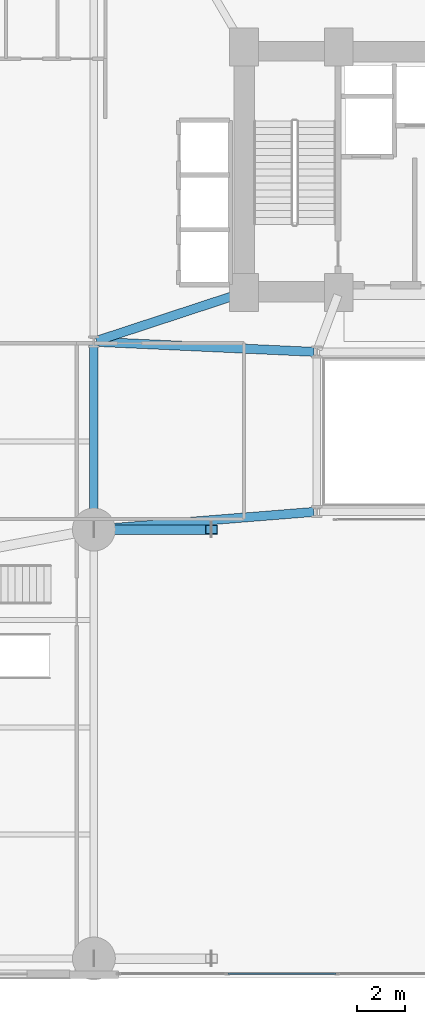
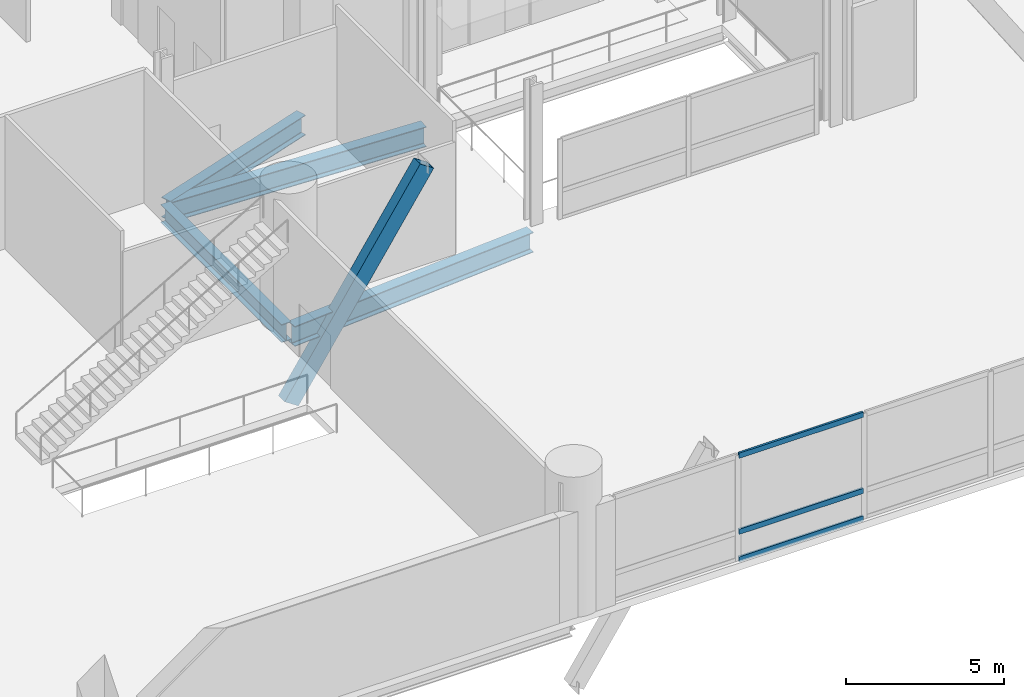
# One storey, part 11 of 40: 4 beams, 4 members, 1 element without a shape of its own.
"""IFC4 building model written with IfcOpenShell, lengths in metres."""

import ifcopenshell
import ifcopenshell.guid

model = None  # the IFC model being written
_history = None  # IfcOwnerHistory: only IFC2X3 demands one
_inside = {}  # id of a spatial element -> (the spatial element, [elements in it])
_under = {}  # id of a project, library or spatial element -> (it, [spatial elements below it])
_declared = {}  # id of a project -> (the project, [libraries it declares])
_typed = {}  # id of a type object -> (the type object, [elements of that type])
_made_of = {}  # id of a material, layer set ... -> (it, [elements and type objects made of it])


def new_model(schema):
    """Start an empty IFC model of exactly this schema.

    Asked for "IFC4X3", IfcOpenShell would pick the latest addendum, in which some entities
    have other attributes; the version numbers below select the first issue.
    IFC2X3 requires an IfcOwnerHistory on every rooted entity: one is made here for all.
    """
    global model, _history
    if schema == "IFC4X3":
        model = ifcopenshell.file(schema_version=(4, 3, 0, 0))
    else:
        model = ifcopenshell.file(schema=schema)
    _inside.clear()
    _under.clear()
    _declared.clear()
    _typed.clear()
    _made_of.clear()
    _history = None
    if model.schema == "IFC2X3":
        org = make("IfcOrganization", Name="unknown")
        user = make(
            "IfcPersonAndOrganization",
            ThePerson=make("IfcPerson", FamilyName="unknown"),
            TheOrganization=org,
        )
        app = make(
            "IfcApplication",
            ApplicationDeveloper=org,
            Version="unknown",
            ApplicationFullName="unknown",
            ApplicationIdentifier="unknown",
        )
        _history = make(
            "IfcOwnerHistory",
            OwningUser=user,
            OwningApplication=app,
            ChangeAction="ADDED",
            CreationDate=0,
        )
    return model


def make(cls, **values):
    """One entity of the class cls with the attributes given. An attribute that is None is left unset."""
    return model.create_entity(
        cls, **{name: value for name, value in values.items() if value is not None}
    )


def rooted(cls, **values):
    """An entity with a GlobalId (a new one), such as an element, a storey or a relation."""
    return make(cls, GlobalId=ifcopenshell.guid.new(), OwnerHistory=_history, **values)


def si_unit(unit_type, name, prefix=None):
    """IfcSIUnit, for example si_unit("LENGTHUNIT", "METRE", prefix="MILLI")."""
    return make("IfcSIUnit", UnitType=unit_type, Prefix=prefix, Name=name)


def assignment(units):
    """IfcUnitAssignment: the units of a project."""
    return None if units is None else make("IfcUnitAssignment", Units=units)


def point(xyz):
    """IfcCartesianPoint."""
    return None if xyz is None else make("IfcCartesianPoint", Coordinates=xyz)


def direction(xyz):
    """IfcDirection."""
    return None if xyz is None else make("IfcDirection", DirectionRatios=xyz)


def frame(location, z_axis=None, x_axis=None):
    """IfcAxis2Placement3D, a coordinate frame: its origin and axes. An axis left out is left unset."""
    return make(
        "IfcAxis2Placement3D",
        Location=point(location),
        Axis=direction(z_axis),
        RefDirection=direction(x_axis),
    )


def frame_2d(location, x_axis=None):
    """IfcAxis2Placement2D, a coordinate frame in the plane: its origin and x axis."""
    return make(
        "IfcAxis2Placement2D", Location=point(location), RefDirection=direction(x_axis)
    )


def origin():
    """The frame at (0, 0, 0) with its axes left unset."""
    return frame((0.0, 0.0, 0.0))


def origin_2d():
    """The frame at (0, 0) in the plane with its x axis left unset."""
    return frame_2d((0.0, 0.0))


def place(relative_to, where):
    """IfcLocalPlacement: puts the frame where relative to a parent placement (None: the world)."""
    return make(
        "IfcLocalPlacement", PlacementRelTo=relative_to, RelativePlacement=where
    )


def context(
    kind, dimensions, precision=None, world=None, true_north=None, identifier=None
):
    """IfcGeometricRepresentationContext, for example the 3D "Model" context."""
    return make(
        "IfcGeometricRepresentationContext",
        ContextIdentifier=identifier,
        ContextType=kind,
        CoordinateSpaceDimension=dimensions,
        Precision=precision,
        WorldCoordinateSystem=world,
        TrueNorth=true_north,
    )


def subcontext(parent, identifier, kind, view, scale=None):
    """IfcGeometricRepresentationSubContext, for example "Body" below "Model"."""
    return make(
        "IfcGeometricRepresentationSubContext",
        ContextIdentifier=identifier,
        ContextType=kind,
        ParentContext=parent,
        TargetScale=scale,
        TargetView=view,
    )


def project(units=None, contexts=None):
    """IfcProject with its units and contexts."""
    return rooted(
        "IfcProject",
        Name="project",
        RepresentationContexts=contexts,
        UnitsInContext=assignment(units),
    )


def spatial(cls, under=None, at=None, **own):
    """A site, building, storey or space (cls), placed at a placement, below another one or the project."""
    s = rooted(cls, ObjectPlacement=at, **own)
    if under is not None:
        _under.setdefault(under.id(), (under, []))[1].append(s)
    return s


def profile(cls, at=None, kind="AREA", **sizes):
    """A parametric profile (cls). Its sizes go by their IFC names, for example OverallWidth=200.0."""
    return make(cls, ProfileType=kind, Position=at, **sizes)


def hollow_rectangle(**sizes):
    """IfcRectangleHollowProfileDef."""
    return profile("IfcRectangleHollowProfileDef", **sizes)


def i_section(**sizes):
    """IfcIShapeProfileDef."""
    return profile("IfcIShapeProfileDef", **sizes)


def extrude(swept, where, along, depth):
    """IfcExtrudedAreaSolid: the profile swept, set in the frame where, extruded along a direction by depth."""
    return make(
        "IfcExtrudedAreaSolid",
        SweptArea=swept,
        Position=where,
        ExtrudedDirection=direction(along),
        Depth=depth,
    )


def shape(context_of_items, identifier, shape_type, items):
    """IfcShapeRepresentation: the items that make up one representation, for example the "Body"."""
    return make(
        "IfcShapeRepresentation",
        ContextOfItems=context_of_items,
        RepresentationIdentifier=identifier,
        RepresentationType=shape_type,
        Items=items,
    )


def material(Name=None, Category=None):
    """IfcMaterial."""
    return make("IfcMaterial", Name=Name, Category=Category)


def layer(
    of_material, thickness, ventilated=None, Name=None, Category=None, Priority=None
):
    """IfcMaterialLayer: one layer of a wall or slab, of a material (None: an air gap)."""
    return make(
        "IfcMaterialLayer",
        Material=of_material,
        LayerThickness=thickness,
        IsVentilated=ventilated,
        Name=Name,
        Category=Category,
        Priority=Priority,
    )


def layer_set(layers, Name=None):
    """IfcMaterialLayerSet."""
    return make("IfcMaterialLayerSet", MaterialLayers=layers, LayerSetName=Name)


def material_profile(
    of_material, cross_section, Name=None, Category=None, Priority=None
):
    """IfcMaterialProfile: a cross section and its material."""
    return make(
        "IfcMaterialProfile",
        Name=Name,
        Material=of_material,
        Profile=cross_section,
        Priority=Priority,
        Category=Category,
    )


def profile_set(profiles, Name=None, composite=None):
    """IfcMaterialProfileSet."""
    return make(
        "IfcMaterialProfileSet",
        Name=Name,
        MaterialProfiles=profiles,
        CompositeProfile=composite,
    )


def made_of(thing, what):
    """Note that an element or type object is made of a material, layer set ...; save() writes the relation."""
    if what is not None:
        _made_of.setdefault(what.id(), (what, []))[1].append(thing)
    return thing


def type_object(cls, material=None, **own):
    """A type object (cls), such as IfcWallType, which elements share."""
    return made_of(rooted(cls, **own), material)


def element(
    cls,
    number,
    at=None,
    inside=None,
    cuts=None,
    type_object=None,
    material=None,
    context=None,
    identifier="Body",
    shape_type=None,
    held_by="IfcProductDefinitionShape",
    body=None,
    shapes=None,
    **own,
):
    """One element of the class cls, such as IfcWall. Its Tag is "e" and its number.

    at: its placement. inside: the storey or other place that contains it. cuts: it is an
    opening in that element (IfcRelVoidsElement). A single representation is given by context,
    identifier, shape_type and body (its items); several are given by shapes. held_by: the class
    of the entity that holds the representations. save() writes the other relations.
    """
    e = rooted(cls, Tag="e%d" % number, ObjectPlacement=at, **own)
    if body is not None:
        shapes = [shape(context, identifier, shape_type, body)]
    if shapes is not None:
        e.Representation = make(held_by, Representations=shapes)
    if inside is not None:
        _inside.setdefault(inside.id(), (inside, []))[1].append(e)
    if cuts is not None:
        rooted(
            "IfcRelVoidsElement", RelatingBuildingElement=cuts, RelatedOpeningElement=e
        )
    if type_object is not None:
        _typed.setdefault(type_object.id(), (type_object, []))[1].append(e)
    return made_of(e, material)


def aggregate(whole, parts):
    """IfcRelAggregates: a whole, such as a stair, and the parts it consists of."""
    return rooted("IfcRelAggregates", RelatingObject=whole, RelatedObjects=parts)


def save(model, path):
    """Write the relations noted so far, then the file.

    IfcRelAggregates (storeys below a building ...), IfcRelContainedInSpatialStructure (elements
    in a storey), IfcRelDefinesByType, IfcRelAssociatesMaterial and IfcRelDeclares: one each for
    every whole, place, type object, material and project.
    """
    for whole, parts in _under.values():
        aggregate(whole, parts)
    for where, things in _inside.values():
        rooted(
            "IfcRelContainedInSpatialStructure",
            RelatedElements=things,
            RelatingStructure=where,
        )
    for kind, things in _typed.values():
        rooted("IfcRelDefinesByType", RelatedObjects=things, RelatingType=kind)
    for what, things in _made_of.values():
        rooted("IfcRelAssociatesMaterial", RelatedObjects=things, RelatingMaterial=what)
    for by, libraries in _declared.values():
        rooted("IfcRelDeclares", RelatingContext=by, RelatedDefinitions=libraries)
    model.write(path)


model = new_model("IFC4")

# Units and contexts
model_context = context("Model", 3, precision=1e-05, world=origin(), true_north=direction((0.0, 1.0)))
body_context = subcontext(model_context, "Body", "Model", "MODEL_VIEW")
ifc_project = project(units=[si_unit("LENGTHUNIT", "METRE"), si_unit("AREAUNIT", "SQUARE_METRE"), si_unit("VOLUMEUNIT", "CUBIC_METRE"), si_unit("PLANEANGLEUNIT", "RADIAN"), si_unit("MASSUNIT", "GRAM", prefix="KILO")], contexts=[model_context])

# Site, building, storey
site_placement = place(None, origin())
site = spatial("IfcSite", under=ifc_project, at=site_placement, CompositionType="ELEMENT")
building_placement = place(site_placement, origin())
building = spatial("IfcBuilding", under=site, at=building_placement, Name="Varnelok Gate Tower", CompositionType="ELEMENT")
storey_placement = place(building_placement, frame((0.0, 0.0, 5.39990234375)))
storey = spatial("IfcBuildingStorey", under=building, at=storey_placement, Name="L01", CompositionType="ELEMENT", Elevation=5.39990234375)

# Beams
ifc_material_1 = material(Name="Structural Steel ASTM A992 Grade 50", Category="steel")
ifc_material_profile_1 = material_profile(ifc_material_1, i_section(OverallWidth=0.35498046875, OverallDepth=0.696044921875, WebThickness=0.015380859375, FlangeThickness=0.02490234375, FilletRadius=0.02001953125, at=origin_2d()), Name="W27X146")
ifc_profile_set_1 = profile_set([ifc_material_profile_1], Name="Structural Steel ASTM A992 Grade 50")
beam_type_1 = type_object("IfcBeamType", Name="BM-PRI-W27X146", PredefinedType="BEAM", material=ifc_profile_set_1)
beam_1_placement = place(storey_placement, frame((24.39990234375, 18.919921875, -0.6279296875), z_axis=(0.0, 1.0, 0.0), x_axis=(-1.0, 0.0, 0.0)))
element("IfcBeam", 1, at=beam_1_placement, inside=storey, type_object=beam_type_1, Name="L01 Core-Atrium Spine Beam 16", PredefinedType="BEAM", context=body_context, shape_type="SweptSolid", body=[
    extrude(i_section(OverallWidth=0.35498046875, OverallDepth=0.696044921875, WebThickness=0.015380859375, FlangeThickness=0.02490234375, FilletRadius=0.02001953125, at=origin_2d()), origin(), (0.0, 0.0, 1.0), 7.64013671875),
])
ifc_material_profile_2 = material_profile(ifc_material_1, i_section(OverallWidth=0.381103515625, OverallDepth=0.77294921875, WebThickness=0.0166015625, FlangeThickness=0.027099609375, FilletRadius=0.02197265625, at=origin_2d()), Name="W30X173")
ifc_profile_set_2 = profile_set([ifc_material_profile_2], Name="Structural Steel ASTM A992 Grade 50")
beam_type_2 = type_object("IfcBeamType", Name="BM-PRI-W30X173", PredefinedType="BEAM", material=ifc_profile_set_2)
beam_2_placement = place(storey_placement, frame((24.51953125, 18.8095703125, -0.66650390625), z_axis=(0.996799206292, 0.07994587128, 0.0), x_axis=(-0.07994587128, 0.996799206292, 0.0)))
element("IfcBeam", 2, at=beam_2_placement, inside=storey, type_object=beam_type_2, Name="L01 Core-Atrium Spine Beam 14", PredefinedType="BEAM", context=body_context, shape_type="SweptSolid", body=[
    extrude(i_section(OverallWidth=0.381103515625, OverallDepth=0.77294921875, WebThickness=0.0166015625, FlangeThickness=0.027099609375, FilletRadius=0.02197265625, at=origin_2d()), origin(), (0.0, 0.0, 1.0), 9.14013671875),
])
beam_3_placement = place(storey_placement, frame((24.52001953125, 26.674560546875, -0.66650390625), z_axis=(0.99894427814, -0.045938319209, 0.0), x_axis=(0.045938319209, 0.99894427814, 0.0)))
element("IfcBeam", 3, at=beam_3_placement, inside=storey, type_object=beam_type_2, Name="L01 Core-Atrium Spine Beam 15", PredefinedType="BEAM", context=body_context, shape_type="SweptSolid", body=[
    extrude(i_section(OverallWidth=0.381103515625, OverallDepth=0.77294921875, WebThickness=0.0166015625, FlangeThickness=0.027099609375, FilletRadius=0.02197265625, at=origin_2d()), origin(), (0.0, 0.0, 1.0), 9.11962890625),
])
beam_4_placement = place(storey_placement, frame((24.513916015625, 26.717529296875, -0.66650390625), z_axis=(0.950041943788, 0.312122259768, 0.0), x_axis=(-0.312122259768, 0.950041943788, 0.0)))
element("IfcBeam", 4, at=beam_4_placement, inside=storey, type_object=beam_type_2, Name="L01 Core-Atrium Spine Beam 17", PredefinedType="BEAM", context=body_context, shape_type="SweptSolid", body=[
    extrude(i_section(OverallWidth=0.381103515625, OverallDepth=0.77294921875, WebThickness=0.0166015625, FlangeThickness=0.027099609375, FilletRadius=0.02197265625, at=origin_2d()), origin(), (0.0, 0.0, 1.0), 6.391357421875),
])

# Curtain wall, members
ifc_material_2 = material(Name="Anodized Aluminum Alloy 6063-T6", Category="aluminium")
ifc_layer = layer(ifc_material_2, 0.179931640625)
ifc_layer_set = layer_set([ifc_layer], Name="Anodized Aluminum Alloy 6063-T6")
curtain_wall_type = type_object("IfcCurtainWallType", Name="CW1-ARCH-PORTAL", PredefinedType="USERDEFINED", material=ifc_layer_set)
curtain_wall_placement = place(storey_placement, origin())
curtain_wall = element("IfcCurtainWall", 5, at=curtain_wall_placement, inside=storey, type_object=curtain_wall_type, Name="L01 Giant Arch Portal Glazed Curtain Wall", ObjectType="UNITISED CURTAIN WALL", PredefinedType="USERDEFINED")
ifc_material_profile_3 = material_profile(ifc_material_2, hollow_rectangle(XDim=0.074951171875, YDim=0.199951171875, WallThickness=0.00390625, at=origin_2d()), Name="ALU200X75X4")
ifc_profile_set_3 = profile_set([ifc_material_profile_3], Name="Anodized Aluminum Alloy 6063-T6")
member_type_1 = type_object("IfcMemberType", Name="CW-TRAN-200", PredefinedType="USERDEFINED", material=ifc_profile_set_3)
member_1_placement = place(storey_placement, frame((34.5625, 0.159912109375, 0.03759765625), z_axis=(-1.0, 0.0, 0.0), x_axis=(0.0, -1.0, 0.0)))
member_1 = element("IfcMember", 6, at=member_1_placement, type_object=member_type_1, Name="CW1 transom 5.1", ObjectType="TRANSOM", PredefinedType="USERDEFINED", context=body_context, shape_type="SweptSolid", body=[
    extrude(hollow_rectangle(XDim=0.074951171875, YDim=0.199951171875, WallThickness=0.00390625, at=origin_2d()), origin(), (0.0, 0.0, 1.0), 4.52490234375),
])
member_2_placement = place(storey_placement, frame((34.5625, 0.159912109375, 1.10009765625), z_axis=(-1.0, 0.0, 0.0), x_axis=(0.0, -1.0, 0.0)))
member_2 = element("IfcMember", 7, at=member_2_placement, type_object=member_type_1, Name="CW1 transom 5.2", ObjectType="TRANSOM", PredefinedType="USERDEFINED", context=body_context, shape_type="SweptSolid", body=[
    extrude(hollow_rectangle(XDim=0.074951171875, YDim=0.199951171875, WallThickness=0.00390625, at=origin_2d()), origin(), (0.0, 0.0, 1.0), 4.52490234375),
])
member_3_placement = place(storey_placement, frame((34.5625, 0.159912109375, 4.03271484375), z_axis=(-1.0, 0.0, 0.0), x_axis=(0.0, -1.0, 0.0)))
member_3 = element("IfcMember", 8, at=member_3_placement, type_object=member_type_1, Name="CW1 transom 5.3", ObjectType="TRANSOM", PredefinedType="USERDEFINED", context=body_context, shape_type="SweptSolid", body=[
    extrude(hollow_rectangle(XDim=0.074951171875, YDim=0.199951171875, WallThickness=0.00390625, at=origin_2d()), origin(), (0.0, 0.0, 1.0), 4.52490234375),
])
aggregate(curtain_wall, [member_1, member_2, member_3])

# Member
ifc_material_3 = material(Name="Structural Steel ASTM A572 Grade 50", Category="steel")
ifc_material_profile_4 = material_profile(ifc_material_3, hollow_rectangle(XDim=0.39990234375, YDim=0.60009765625, WallThickness=0.02490234375, at=origin_2d()), Name="HSS600X400X25")
ifc_profile_set_4 = profile_set([ifc_material_profile_4], Name="Structural Steel ASTM A572 Grade 50")
member_type_2 = type_object("IfcMemberType", Name="MEM-ARCH-CHORD", PredefinedType="CHORD", material=ifc_profile_set_4)
member_4_placement = place(storey_placement, frame((24.39990234375, 18.800048828125, -3.199951171875), z_axis=(0.552974977986, 0.0, 0.833197859888), x_axis=(0.0, 1.0, 0.0)))
element("IfcMember", 9, at=member_4_placement, inside=storey, type_object=member_type_2, Name="Giant Arch Inner Chord Rib 1", PredefinedType="CHORD", context=body_context, shape_type="SweptSolid", body=[
    extrude(hollow_rectangle(XDim=0.39990234375, YDim=0.60009765625, WallThickness=0.02490234375, at=origin_2d()), origin(), (0.0, 0.0, 1.0), 8.92138671875),
])

save(model, "model.ifc")
